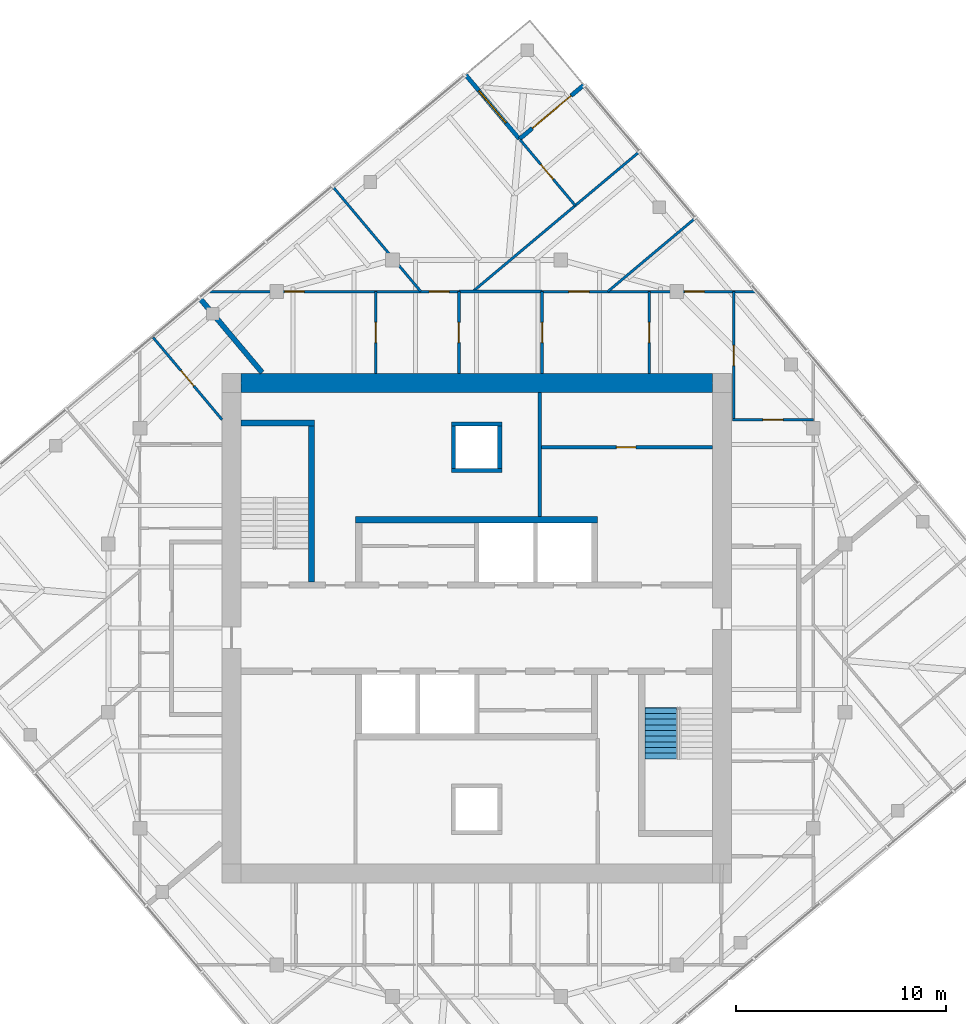
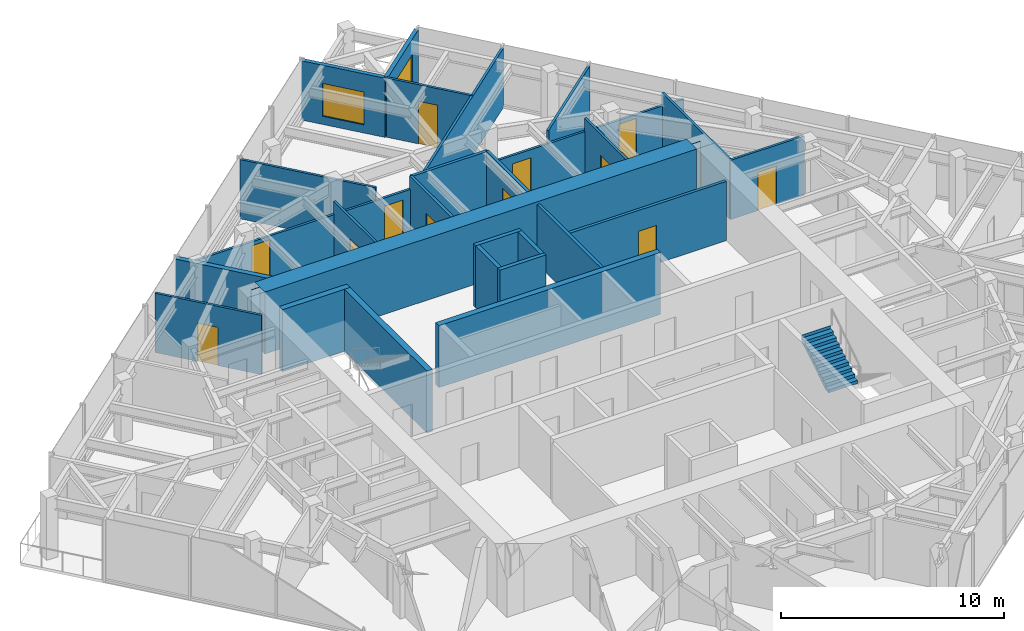
# One storey, part 10 of 12: 27 walls, 14 doors, 1 stair flight, 1 window, 15 openings, 1 element without a shape of its own.
"""IFC4 building model written with IfcOpenShell, lengths in metres."""

import ifcopenshell
import ifcopenshell.guid

model = None  # the IFC model being written
_history = None  # IfcOwnerHistory: only IFC2X3 demands one
_inside = {}  # id of a spatial element -> (the spatial element, [elements in it])
_under = {}  # id of a project, library or spatial element -> (it, [spatial elements below it])
_declared = {}  # id of a project -> (the project, [libraries it declares])
_typed = {}  # id of a type object -> (the type object, [elements of that type])
_made_of = {}  # id of a material, layer set ... -> (it, [elements and type objects made of it])


def new_model(schema):
    """Start an empty IFC model of exactly this schema.

    Asked for "IFC4X3", IfcOpenShell would pick the latest addendum, in which some entities
    have other attributes; the version numbers below select the first issue.
    IFC2X3 requires an IfcOwnerHistory on every rooted entity: one is made here for all.
    """
    global model, _history
    if schema == "IFC4X3":
        model = ifcopenshell.file(schema_version=(4, 3, 0, 0))
    else:
        model = ifcopenshell.file(schema=schema)
    _inside.clear()
    _under.clear()
    _declared.clear()
    _typed.clear()
    _made_of.clear()
    _history = None
    if model.schema == "IFC2X3":
        org = make("IfcOrganization", Name="unknown")
        user = make(
            "IfcPersonAndOrganization",
            ThePerson=make("IfcPerson", FamilyName="unknown"),
            TheOrganization=org,
        )
        app = make(
            "IfcApplication",
            ApplicationDeveloper=org,
            Version="unknown",
            ApplicationFullName="unknown",
            ApplicationIdentifier="unknown",
        )
        _history = make(
            "IfcOwnerHistory",
            OwningUser=user,
            OwningApplication=app,
            ChangeAction="ADDED",
            CreationDate=0,
        )
    return model


def make(cls, **values):
    """One entity of the class cls with the attributes given. An attribute that is None is left unset."""
    return model.create_entity(
        cls, **{name: value for name, value in values.items() if value is not None}
    )


def rooted(cls, **values):
    """An entity with a GlobalId (a new one), such as an element, a storey or a relation."""
    return make(cls, GlobalId=ifcopenshell.guid.new(), OwnerHistory=_history, **values)


def si_unit(unit_type, name, prefix=None):
    """IfcSIUnit, for example si_unit("LENGTHUNIT", "METRE", prefix="MILLI")."""
    return make("IfcSIUnit", UnitType=unit_type, Prefix=prefix, Name=name)


def assignment(units):
    """IfcUnitAssignment: the units of a project."""
    return None if units is None else make("IfcUnitAssignment", Units=units)


def point(xyz):
    """IfcCartesianPoint."""
    return None if xyz is None else make("IfcCartesianPoint", Coordinates=xyz)


def direction(xyz):
    """IfcDirection."""
    return None if xyz is None else make("IfcDirection", DirectionRatios=xyz)


def frame(location, z_axis=None, x_axis=None):
    """IfcAxis2Placement3D, a coordinate frame: its origin and axes. An axis left out is left unset."""
    return make(
        "IfcAxis2Placement3D",
        Location=point(location),
        Axis=direction(z_axis),
        RefDirection=direction(x_axis),
    )


def frame_2d(location, x_axis=None):
    """IfcAxis2Placement2D, a coordinate frame in the plane: its origin and x axis."""
    return make(
        "IfcAxis2Placement2D", Location=point(location), RefDirection=direction(x_axis)
    )


def origin():
    """The frame at (0, 0, 0) with its axes left unset."""
    return frame((0.0, 0.0, 0.0))


def place(relative_to, where):
    """IfcLocalPlacement: puts the frame where relative to a parent placement (None: the world)."""
    return make(
        "IfcLocalPlacement", PlacementRelTo=relative_to, RelativePlacement=where
    )


def context(
    kind, dimensions, precision=None, world=None, true_north=None, identifier=None
):
    """IfcGeometricRepresentationContext, for example the 3D "Model" context."""
    return make(
        "IfcGeometricRepresentationContext",
        ContextIdentifier=identifier,
        ContextType=kind,
        CoordinateSpaceDimension=dimensions,
        Precision=precision,
        WorldCoordinateSystem=world,
        TrueNorth=true_north,
    )


def subcontext(parent, identifier, kind, view, scale=None):
    """IfcGeometricRepresentationSubContext, for example "Body" below "Model"."""
    return make(
        "IfcGeometricRepresentationSubContext",
        ContextIdentifier=identifier,
        ContextType=kind,
        ParentContext=parent,
        TargetScale=scale,
        TargetView=view,
    )


def project(units=None, contexts=None):
    """IfcProject with its units and contexts."""
    return rooted(
        "IfcProject",
        Name="project",
        RepresentationContexts=contexts,
        UnitsInContext=assignment(units),
    )


def spatial(cls, under=None, at=None, **own):
    """A site, building, storey or space (cls), placed at a placement, below another one or the project."""
    s = rooted(cls, ObjectPlacement=at, **own)
    if under is not None:
        _under.setdefault(under.id(), (under, []))[1].append(s)
    return s


def polyline(points):
    """IfcPolyline through the points."""
    return make("IfcPolyline", Points=[point(p) for p in points])


def profile(cls, at=None, kind="AREA", **sizes):
    """A parametric profile (cls). Its sizes go by their IFC names, for example OverallWidth=200.0."""
    return make(cls, ProfileType=kind, Position=at, **sizes)


def rectangle(**sizes):
    """IfcRectangleProfileDef."""
    return profile("IfcRectangleProfileDef", **sizes)


def outline(outer, holes=None, kind="AREA"):
    """IfcArbitraryClosedProfileDef: a profile drawn as a closed curve; with holes, ...WithVoids."""
    if holes is None:
        return make("IfcArbitraryClosedProfileDef", ProfileType=kind, OuterCurve=outer)
    return make(
        "IfcArbitraryProfileDefWithVoids",
        ProfileType=kind,
        OuterCurve=outer,
        InnerCurves=holes,
    )


def extrude(swept, where, along, depth):
    """IfcExtrudedAreaSolid: the profile swept, set in the frame where, extruded along a direction by depth."""
    return make(
        "IfcExtrudedAreaSolid",
        SweptArea=swept,
        Position=where,
        ExtrudedDirection=direction(along),
        Depth=depth,
    )


def shape(context_of_items, identifier, shape_type, items):
    """IfcShapeRepresentation: the items that make up one representation, for example the "Body"."""
    return make(
        "IfcShapeRepresentation",
        ContextOfItems=context_of_items,
        RepresentationIdentifier=identifier,
        RepresentationType=shape_type,
        Items=items,
    )


def material(Name=None, Category=None):
    """IfcMaterial."""
    return make("IfcMaterial", Name=Name, Category=Category)


def layer(
    of_material, thickness, ventilated=None, Name=None, Category=None, Priority=None
):
    """IfcMaterialLayer: one layer of a wall or slab, of a material (None: an air gap)."""
    return make(
        "IfcMaterialLayer",
        Material=of_material,
        LayerThickness=thickness,
        IsVentilated=ventilated,
        Name=Name,
        Category=Category,
        Priority=Priority,
    )


def layer_set(layers, Name=None):
    """IfcMaterialLayerSet."""
    return make("IfcMaterialLayerSet", MaterialLayers=layers, LayerSetName=Name)


def made_of(thing, what):
    """Note that an element or type object is made of a material, layer set ...; save() writes the relation."""
    if what is not None:
        _made_of.setdefault(what.id(), (what, []))[1].append(thing)
    return thing


def type_object(cls, material=None, **own):
    """A type object (cls), such as IfcWallType, which elements share."""
    return made_of(rooted(cls, **own), material)


def element(
    cls,
    number,
    at=None,
    inside=None,
    cuts=None,
    type_object=None,
    material=None,
    context=None,
    identifier="Body",
    shape_type=None,
    held_by="IfcProductDefinitionShape",
    body=None,
    shapes=None,
    **own,
):
    """One element of the class cls, such as IfcWall. Its Tag is "e" and its number.

    at: its placement. inside: the storey or other place that contains it. cuts: it is an
    opening in that element (IfcRelVoidsElement). A single representation is given by context,
    identifier, shape_type and body (its items); several are given by shapes. held_by: the class
    of the entity that holds the representations. save() writes the other relations.
    """
    e = rooted(cls, Tag="e%d" % number, ObjectPlacement=at, **own)
    if body is not None:
        shapes = [shape(context, identifier, shape_type, body)]
    if shapes is not None:
        e.Representation = make(held_by, Representations=shapes)
    if inside is not None:
        _inside.setdefault(inside.id(), (inside, []))[1].append(e)
    if cuts is not None:
        rooted(
            "IfcRelVoidsElement", RelatingBuildingElement=cuts, RelatedOpeningElement=e
        )
    if type_object is not None:
        _typed.setdefault(type_object.id(), (type_object, []))[1].append(e)
    return made_of(e, material)


def fill(opening, filler):
    """IfcRelFillsElement: the door or window that sits in an opening."""
    return rooted(
        "IfcRelFillsElement",
        RelatingOpeningElement=opening,
        RelatedBuildingElement=filler,
    )


def aggregate(whole, parts):
    """IfcRelAggregates: a whole, such as a stair, and the parts it consists of."""
    return rooted("IfcRelAggregates", RelatingObject=whole, RelatedObjects=parts)


def save(model, path):
    """Write the relations noted so far, then the file.

    IfcRelAggregates (storeys below a building ...), IfcRelContainedInSpatialStructure (elements
    in a storey), IfcRelDefinesByType, IfcRelAssociatesMaterial and IfcRelDeclares: one each for
    every whole, place, type object, material and project.
    """
    for whole, parts in _under.values():
        aggregate(whole, parts)
    for where, things in _inside.values():
        rooted(
            "IfcRelContainedInSpatialStructure",
            RelatedElements=things,
            RelatingStructure=where,
        )
    for kind, things in _typed.values():
        rooted("IfcRelDefinesByType", RelatedObjects=things, RelatingType=kind)
    for what, things in _made_of.values():
        rooted("IfcRelAssociatesMaterial", RelatedObjects=things, RelatingMaterial=what)
    for by, libraries in _declared.values():
        rooted("IfcRelDeclares", RelatingContext=by, RelatedDefinitions=libraries)
    model.write(path)


model = new_model("IFC4")

# Units and contexts
model_context = context("Model", 3, precision=1e-05, world=origin(), true_north=direction((0.0, 1.0)))
body_context = subcontext(model_context, "Body", "Model", "MODEL_VIEW")
ifc_project = project(units=[si_unit("LENGTHUNIT", "METRE"), si_unit("AREAUNIT", "SQUARE_METRE"), si_unit("VOLUMEUNIT", "CUBIC_METRE"), si_unit("PLANEANGLEUNIT", "RADIAN"), si_unit("MASSUNIT", "GRAM", prefix="KILO")], contexts=[model_context])

# Site, building, storey
site_placement = place(None, origin())
site = spatial("IfcSite", under=ifc_project, at=site_placement, CompositionType="ELEMENT")
building_placement = place(site_placement, origin())
building = spatial("IfcBuilding", under=site, at=building_placement, Name="Torsade Residences", CompositionType="ELEMENT")
storey_placement = place(building_placement, frame((0.0, 0.0, 282.800048828125)))
storey = spatial("IfcBuildingStorey", under=building, at=storey_placement, Name="L78", CompositionType="ELEMENT", Elevation=282.800048828125)

# Walls
ifc_material_1 = material(Name="Concrete 80 MPa", Category="concrete")
ifc_layer_1 = layer(ifc_material_1, 0.300048828125)
ifc_layer_set_1 = layer_set([ifc_layer_1], Name="Concrete 80 MPa")
wall_type_1 = type_object("IfcWallType", Name="CORE INTERNAL WALL 300", PredefinedType="SHEAR", material=ifc_layer_set_1)
wall_1_placement = place(storey_placement, frame((34.25, 35.14990234375, 0.0), z_axis=(0.0, 0.0, 1.0), x_axis=(1.0, 0.0, 0.0)))
element("IfcWall", 1, at=wall_1_placement, inside=storey, type_object=wall_type_1, Name="Core wall BN L78", PredefinedType="SHEAR", context=body_context, shape_type="SweptSolid", body=[
    extrude(rectangle(XDim=11.5, YDim=0.300048828125, at=frame_2d((5.75, 0.0))), origin(), (0.0, 0.0, 1.0), 3.39990234375),
])
wall_2_placement = place(storey_placement, frame((32.14990234375, 32.199951171875, 0.0), z_axis=(0.0, 0.0, 1.0), x_axis=(0.0, 1.0, 0.0)))
element("IfcWall", 2, at=wall_2_placement, inside=storey, type_object=wall_type_1, Name="Core wall ST1E L78", PredefinedType="SHEAR", context=body_context, shape_type="SweptSolid", body=[
    extrude(rectangle(XDim=7.699951171875, YDim=0.300048828125, at=frame_2d((3.85009765625, 0.0))), origin(), (0.0, 0.0, 1.0), 3.39990234375),
])
wall_3_placement = place(storey_placement, frame((28.800048828125, 39.75, 0.0), z_axis=(0.0, 0.0, 1.0), x_axis=(1.0, 0.0, 0.0)))
element("IfcWall", 3, at=wall_3_placement, inside=storey, type_object=wall_type_1, Name="Core wall ST1N L78", PredefinedType="SHEAR", context=body_context, shape_type="SweptSolid", body=[
    extrude(rectangle(XDim=3.5, YDim=0.300048828125, at=frame_2d((1.75, 0.0))), origin(), (0.0, 0.0, 1.0), 3.39990234375),
])
ifc_material_2 = material(Name="Concrete 80 MPa", Category="concrete")
ifc_layer_2 = layer(ifc_material_2, 0.89990234375)
ifc_layer_set_2 = layer_set([ifc_layer_2], Name="Concrete 80 MPa")
wall_type_2 = type_object("IfcWallType", Name="CORE WALL 900", PredefinedType="SHEAR", material=ifc_layer_set_2)
wall_4_placement = place(storey_placement, frame((28.800048828125, 41.64990234375, 0.0), z_axis=(0.0, 0.0, 1.0), x_axis=(1.0, 0.0, 0.0)))
element("IfcWall", 4, at=wall_4_placement, inside=storey, type_object=wall_type_2, Name="Core wall N L78", PredefinedType="SHEAR", context=body_context, shape_type="SweptSolid", body=[
    extrude(outline(polyline([(0.0, -0.449951171875), (22.39990234375, -0.449951171875), (22.39990234375, -0.02490234375), (22.849853515625, -0.02490234375), (22.849853515625, 0.02490234375), (22.39990234375, 0.02490234375), (22.39990234375, 0.449951171875), (0.0, 0.449951171875), (0.0, 0.02490234375), (-0.449951171875, 0.02490234375), (-0.449951171875, -0.02490234375), (0.0, -0.02490234375), (0.0, -0.449951171875)])), origin(), (0.0, 0.0, 1.0), 3.39990234375),
])

# Wall, opening, door
ifc_material_3 = material(Name="Plasterboard on steel stud", Category="steel")
ifc_layer_3 = layer(ifc_material_3, 0.1201171875)
ifc_layer_set_3 = layer_set([ifc_layer_3], Name="Plasterboard on steel stud")
wall_type_3 = type_object("IfcWallType", Name="PARTITION 120", PredefinedType="PARTITIONING", material=ifc_layer_set_3)
wall_5_placement = place(storey_placement, frame((52.163330078125, 39.9140625, 0.0), z_axis=(0.0, 0.0, 1.0), x_axis=(1.0, 0.0, 0.0)))
wall_5 = element("IfcWall", 5, at=wall_5_placement, inside=storey, type_object=wall_type_3, Name="Partition L78", PredefinedType="PARTITIONING", context=body_context, shape_type="SweptSolid", body=[
    extrude(rectangle(XDim=3.836669921875, YDim=0.1201171875, at=frame_2d((1.91845703125, 0.0))), origin(), (0.0, 0.0, 1.0), 3.25),
])
opening_1_placement = place(wall_5_placement, frame((1.438232421875, 0.0, 0.0)))
opening_1 = element("IfcOpeningElement", 6, at=opening_1_placement, cuts=wall_5, Name="Opening D05", PredefinedType="OPENING", context=body_context, shape_type="SweptSolid", body=[
    extrude(rectangle(XDim=0.9599609375, YDim=2.10009765625, at=frame_2d((0.47998046875, 1.050048828125))), frame((0.0, 0.070068359375, 0.0), z_axis=(0.0, -1.0, 0.0), x_axis=(1.0, 0.0, 0.0)), (0.0, 0.0, 1.0), 0.14013671875),
])
ifc_material_4 = material(Name="Hollow-core timber door in a steel cavity frame", Category="steel")
door_type_1 = type_object("IfcDoorType", Name="BATHROOM CAVITY SLIDING DOOR 960", OperationType="SLIDING_TO_LEFT", PredefinedType="DOOR", material=ifc_material_4)
door_1_placement = place(opening_1_placement, origin())
door_1 = element("IfcDoor", 7, at=door_1_placement, inside=storey, type_object=door_type_1, Name="Door Kitchen and dining to Bathroom", OperationType="SLIDING_TO_LEFT", OverallHeight=2.10009765625, OverallWidth=0.9599609375, PredefinedType="DOOR", context=body_context, shape_type="SweptSolid", body=[
    extrude(rectangle(XDim=0.9599609375, YDim=2.10009765625, at=frame_2d((0.47998046875, 1.050048828125))), frame((0.0, 0.02490234375, 0.0), z_axis=(0.0, -1.0, 0.0), x_axis=(1.0, 0.0, 0.0)), (0.0, 0.0, 1.0), 0.050048828125),
])
fill(opening_1, door_1)

wall_6_placement = place(storey_placement, frame((52.21337890625, 39.9140625, 0.0), z_axis=(0.0, 0.0, 1.0), x_axis=(0.0, 1.0, 0.0)))
wall_6 = element("IfcWall", 8, at=wall_6_placement, inside=storey, type_object=wall_type_3, Name="Partition L78", PredefinedType="PARTITIONING", context=body_context, shape_type="SweptSolid", body=[
    extrude(rectangle(XDim=6.0859375, YDim=0.1201171875, at=frame_2d((3.04296875, 0.0))), origin(), (0.0, 0.0, 1.0), 3.25),
])
opening_2_placement = place(wall_6_placement, frame((2.56298828125, 0.0, 0.0)))
opening_2 = element("IfcOpeningElement", 9, at=opening_2_placement, cuts=wall_6, Name="Opening D05", PredefinedType="OPENING", context=body_context, shape_type="SweptSolid", body=[
    extrude(rectangle(XDim=0.9599609375, YDim=2.10009765625, at=frame_2d((0.47998046875, 1.050048828125))), frame((0.0, 0.070068359375, 0.0), z_axis=(0.0, -1.0, 0.0), x_axis=(1.0, 0.0, 0.0)), (0.0, 0.0, 1.0), 0.14013671875),
])
door_2_placement = place(opening_2_placement, origin())
door_2 = element("IfcDoor", 10, at=door_2_placement, inside=storey, type_object=door_type_1, Name="Door Bathroom to Dressing room", OperationType="SLIDING_TO_LEFT", OverallHeight=2.10009765625, OverallWidth=0.9599609375, PredefinedType="DOOR", context=body_context, shape_type="SweptSolid", body=[
    extrude(rectangle(XDim=0.9599609375, YDim=2.10009765625, at=frame_2d((0.47998046875, 1.050048828125))), frame((0.0, 0.02490234375, 0.0), z_axis=(0.0, -1.0, 0.0), x_axis=(1.0, 0.0, 0.0)), (0.0, 0.0, 1.0), 0.050048828125),
])
fill(opening_2, door_2)

# Wall, openings, doors
wall_7_placement = place(storey_placement, frame((43.110107421875, 46.0, 0.0), z_axis=(0.0, 0.0, 1.0), x_axis=(1.0, 0.0, 0.0)))
wall_7 = element("IfcWall", 11, at=wall_7_placement, inside=storey, type_object=wall_type_3, Name="Partition L78", PredefinedType="PARTITIONING", context=body_context, shape_type="SweptSolid", body=[
    extrude(rectangle(XDim=10.1728515625, YDim=0.1201171875, at=frame_2d((5.08642578125, 0.0))), origin(), (0.0, 0.0, 1.0), 2.549072265625),
])
opening_3_placement = place(wall_7_placement, frame((6.788330078125, 0.0, 0.0)))
opening_3 = element("IfcOpeningElement", 12, at=opening_3_placement, cuts=wall_7, Name="Opening D02", PredefinedType="OPENING", context=body_context, shape_type="SweptSolid", body=[
    extrude(rectangle(XDim=0.919921875, YDim=2.340087890625, at=frame_2d((0.4599609375, 1.169921875))), frame((0.0, 0.070068359375, 0.0), z_axis=(0.0, -1.0, 0.0), x_axis=(1.0, 0.0, 0.0)), (0.0, 0.0, 1.0), 0.14013671875),
])
opening_4_placement = place(wall_7_placement, frame((1.2705078125, 0.0, 0.0)))
opening_4 = element("IfcOpeningElement", 13, at=opening_4_placement, cuts=wall_7, Name="Opening D05", PredefinedType="OPENING", context=body_context, shape_type="SweptSolid", body=[
    extrude(rectangle(XDim=0.9599609375, YDim=2.10009765625, at=frame_2d((0.47998046875, 1.050048828125))), frame((0.0, 0.070068359375, 0.0), z_axis=(0.0, -1.0, 0.0), x_axis=(1.0, 0.0, 0.0)), (0.0, 0.0, 1.0), 0.14013671875),
])
door_3_placement = place(opening_4_placement, origin())
door_3 = element("IfcDoor", 14, at=door_3_placement, inside=storey, type_object=door_type_1, Name="Door Ensuite to Bedroom 1", OperationType="SLIDING_TO_LEFT", OverallHeight=2.10009765625, OverallWidth=0.9599609375, PredefinedType="DOOR", context=body_context, shape_type="SweptSolid", body=[
    extrude(rectangle(XDim=0.9599609375, YDim=2.10009765625, at=frame_2d((0.47998046875, 1.050048828125))), frame((0.0, 0.02490234375, 0.0), z_axis=(0.0, -1.0, 0.0), x_axis=(1.0, 0.0, 0.0)), (0.0, 0.0, 1.0), 0.050048828125),
])
fill(opening_4, door_3)
ifc_material_5 = material(Name="Hollow-core timber door", Category="wood")
door_type_2 = type_object("IfcDoorType", Name="INTERNAL DOOR 920x2340", OperationType="NOTDEFINED", PredefinedType="DOOR", material=ifc_material_5)
door_4_placement = place(opening_3_placement, origin())
door_4 = element("IfcDoor", 15, at=door_4_placement, inside=storey, type_object=door_type_2, Name="Door Dressing room to Bedroom 5", OperationType="SINGLE_SWING_LEFT", OverallHeight=2.340087890625, OverallWidth=0.919921875, PredefinedType="DOOR", context=body_context, shape_type="SweptSolid", body=[
    extrude(rectangle(XDim=0.919921875, YDim=2.340087890625, at=frame_2d((0.4599609375, 1.169921875))), frame((0.0, 0.02490234375, 0.0), z_axis=(0.0, -1.0, 0.0), x_axis=(1.0, 0.0, 0.0)), (0.0, 0.0, 1.0), 0.050048828125),
])
fill(opening_3, door_4)

# Wall, opening, door
wall_8_placement = place(storey_placement, frame((48.203369140625, 42.10009765625, 0.0), z_axis=(0.0, 0.0, 1.0), x_axis=(0.0, 1.0, 0.0)))
wall_8 = element("IfcWall", 16, at=wall_8_placement, inside=storey, type_object=wall_type_3, Name="Partition L78", PredefinedType="PARTITIONING", context=body_context, shape_type="SweptSolid", body=[
    extrude(rectangle(XDim=3.89990234375, YDim=0.1201171875, at=frame_2d((1.949951171875, 0.0))), origin(), (0.0, 0.0, 1.0), 3.25),
])
opening_5_placement = place(wall_8_placement, frame((1.469970703125, 0.0, 0.0)))
opening_5 = element("IfcOpeningElement", 17, at=opening_5_placement, cuts=wall_8, Name="Opening D05", PredefinedType="OPENING", context=body_context, shape_type="SweptSolid", body=[
    extrude(rectangle(XDim=0.9599609375, YDim=2.10009765625, at=frame_2d((0.47998046875, 1.050048828125))), frame((0.0, 0.070068359375, 0.0), z_axis=(0.0, -1.0, 0.0), x_axis=(1.0, 0.0, 0.0)), (0.0, 0.0, 1.0), 0.14013671875),
])
door_5_placement = place(opening_5_placement, origin())
door_5 = element("IfcDoor", 18, at=door_5_placement, inside=storey, type_object=door_type_1, Name="Door Dressing room to Ensuite", OperationType="SLIDING_TO_LEFT", OverallHeight=2.10009765625, OverallWidth=0.9599609375, PredefinedType="DOOR", context=body_context, shape_type="SweptSolid", body=[
    extrude(rectangle(XDim=0.9599609375, YDim=2.10009765625, at=frame_2d((0.47998046875, 1.050048828125))), frame((0.0, 0.02490234375, 0.0), z_axis=(0.0, -1.0, 0.0), x_axis=(1.0, 0.0, 0.0)), (0.0, 0.0, 1.0), 0.050048828125),
])
fill(opening_5, door_5)

wall_9_placement = place(storey_placement, frame((35.195068359375, 42.10009765625, 0.0), z_axis=(0.0, 0.0, 1.0), x_axis=(0.0, 1.0, 0.0)))
wall_9 = element("IfcWall", 19, at=wall_9_placement, inside=storey, type_object=wall_type_3, Name="Partition L78", PredefinedType="PARTITIONING", context=body_context, shape_type="SweptSolid", body=[
    extrude(rectangle(XDim=3.89990234375, YDim=0.1201171875, at=frame_2d((1.949951171875, 0.0))), origin(), (0.0, 0.0, 1.0), 3.25),
])
opening_6_placement = place(wall_9_placement, frame((1.469970703125, 0.0, 0.0)))
opening_6 = element("IfcOpeningElement", 20, at=opening_6_placement, cuts=wall_9, Name="Opening D05", PredefinedType="OPENING", context=body_context, shape_type="SweptSolid", body=[
    extrude(rectangle(XDim=0.9599609375, YDim=2.10009765625, at=frame_2d((0.47998046875, 1.050048828125))), frame((0.0, 0.070068359375, 0.0), z_axis=(0.0, -1.0, 0.0), x_axis=(1.0, 0.0, 0.0)), (0.0, 0.0, 1.0), 0.14013671875),
])
door_6_placement = place(opening_6_placement, origin())
door_6 = element("IfcDoor", 21, at=door_6_placement, inside=storey, type_object=door_type_1, Name="Door Laundry to Study", OperationType="SLIDING_TO_LEFT", OverallHeight=2.10009765625, OverallWidth=0.9599609375, PredefinedType="DOOR", context=body_context, shape_type="SweptSolid", body=[
    extrude(rectangle(XDim=0.9599609375, YDim=2.10009765625, at=frame_2d((0.47998046875, 1.050048828125))), frame((0.0, 0.02490234375, 0.0), z_axis=(0.0, -1.0, 0.0), x_axis=(1.0, 0.0, 0.0)), (0.0, 0.0, 1.0), 0.050048828125),
])
fill(opening_6, door_6)

# Wall, openings, doors
wall_10_placement = place(storey_placement, frame((27.238037109375, 46.0, 0.0), z_axis=(0.0, 0.0, 1.0), x_axis=(1.0, 0.0, 0.0)))
wall_10 = element("IfcWall", 22, at=wall_10_placement, inside=storey, type_object=wall_type_3, Name="Partition L78", PredefinedType="PARTITIONING", context=body_context, shape_type="SweptSolid", body=[
    extrude(rectangle(XDim=11.91455078125, YDim=0.1201171875, at=frame_2d((5.957275390625, 0.0))), origin(), (0.0, 0.0, 1.0), 2.549072265625),
])
opening_7_placement = place(wall_10_placement, frame((3.637451171875, 0.0, 0.0)))
opening_7 = element("IfcOpeningElement", 23, at=opening_7_placement, cuts=wall_10, Name="Opening D02", PredefinedType="OPENING", context=body_context, shape_type="SweptSolid", body=[
    extrude(rectangle(XDim=0.919921875, YDim=2.340087890625, at=frame_2d((0.4599609375, 1.169921875))), frame((0.0, 0.070068359375, 0.0), z_axis=(0.0, -1.0, 0.0), x_axis=(1.0, 0.0, 0.0)), (0.0, 0.0, 1.0), 0.14013671875),
])
opening_8_placement = place(wall_10_placement, frame((10.497802734375, 0.0, 0.0)))
opening_8 = element("IfcOpeningElement", 24, at=opening_8_placement, cuts=wall_10, Name="Opening D05", PredefinedType="OPENING", context=body_context, shape_type="SweptSolid", body=[
    extrude(rectangle(XDim=0.9599609375, YDim=2.10009765625, at=frame_2d((0.47998046875, 1.050048828125))), frame((0.0, 0.070068359375, 0.0), z_axis=(0.0, -1.0, 0.0), x_axis=(1.0, 0.0, 0.0)), (0.0, 0.0, 1.0), 0.14013671875),
])
door_7_placement = place(opening_8_placement, origin())
door_7 = element("IfcDoor", 25, at=door_7_placement, inside=storey, type_object=door_type_1, Name="Door Laundry to Living room", OperationType="SLIDING_TO_LEFT", OverallHeight=2.10009765625, OverallWidth=0.9599609375, PredefinedType="DOOR", context=body_context, shape_type="SweptSolid", body=[
    extrude(rectangle(XDim=0.9599609375, YDim=2.10009765625, at=frame_2d((0.47998046875, 1.050048828125))), frame((0.0, 0.02490234375, 0.0), z_axis=(0.0, -1.0, 0.0), x_axis=(1.0, 0.0, 0.0)), (0.0, 0.0, 1.0), 0.050048828125),
])
fill(opening_8, door_7)
door_8_placement = place(opening_7_placement, origin())
door_8 = element("IfcDoor", 26, at=door_8_placement, inside=storey, type_object=door_type_2, Name="Door Study to Bedroom 2", OperationType="SINGLE_SWING_LEFT", OverallHeight=2.340087890625, OverallWidth=0.919921875, PredefinedType="DOOR", context=body_context, shape_type="SweptSolid", body=[
    extrude(rectangle(XDim=0.919921875, YDim=2.340087890625, at=frame_2d((0.4599609375, 1.169921875))), frame((0.0, 0.02490234375, 0.0), z_axis=(0.0, -1.0, 0.0), x_axis=(1.0, 0.0, 0.0)), (0.0, 0.0, 1.0), 0.050048828125),
])
fill(opening_7, door_8)

# Walls
wall_11_placement = place(storey_placement, frame((47.71875, 52.631103515625, 0.0), z_axis=(0.0, 0.0, 1.0), x_axis=(-0.766052076481, -0.64277851249, 0.0)))
element("IfcWall", 27, at=wall_11_placement, inside=storey, type_object=wall_type_3, Name="Partition L78", PredefinedType="PARTITIONING", context=body_context, shape_type="SweptSolid", body=[
    extrude(rectangle(XDim=10.31640625, YDim=0.1201171875, at=frame_2d((5.158203125, 0.0))), origin(), (0.0, 0.0, 1.0), 3.25),
])
wall_12_placement = place(storey_placement, frame((37.343994140625, 46.0, 0.0), z_axis=(0.0, 0.0, 1.0), x_axis=(-0.642779498388, 0.766051249233, 0.0)))
element("IfcWall", 28, at=wall_12_placement, inside=storey, type_object=wall_type_3, Name="Partition L78", PredefinedType="PARTITIONING", context=body_context, shape_type="SweptSolid", body=[
    extrude(rectangle(XDim=6.49609375, YDim=0.1201171875, at=frame_2d((3.248046875, 0.0))), origin(), (0.0, 0.0, 1.0), 3.25),
])

# Wall, opening, door
wall_13_placement = place(storey_placement, frame((42.0595703125, 53.215087890625, 0.0), z_axis=(0.0, 0.0, 1.0), x_axis=(0.642796729538, -0.766036790562, 0.0)))
wall_13 = element("IfcWall", 29, at=wall_13_placement, inside=storey, type_object=wall_type_3, Name="Partition L78", PredefinedType="PARTITIONING", context=body_context, shape_type="SweptSolid", body=[
    extrude(rectangle(XDim=4.0849609375, YDim=0.1201171875, at=frame_2d((2.04248046875, 0.0))), origin(), (0.0, 0.0, 1.0), 3.25),
])
opening_9_placement = place(wall_13_placement, frame((1.53759765625, 0.0, 0.0)))
opening_9 = element("IfcOpeningElement", 30, at=opening_9_placement, cuts=wall_13, Name="Opening D02", PredefinedType="OPENING", context=body_context, shape_type="SweptSolid", body=[
    extrude(rectangle(XDim=0.919921875, YDim=2.340087890625, at=frame_2d((0.4599609375, 1.169921875))), frame((0.0, 0.070068359375, 0.0), z_axis=(0.0, -1.0, 0.0), x_axis=(1.0, 0.0, 0.0)), (0.0, 0.0, 1.0), 0.14013671875),
])
door_9_placement = place(opening_9_placement, origin())
door_9 = element("IfcDoor", 31, at=door_9_placement, inside=storey, type_object=door_type_2, Name="Door Living room to Bedroom 4", OperationType="SINGLE_SWING_RIGHT", OverallHeight=2.340087890625, OverallWidth=0.919921875, PredefinedType="DOOR", context=body_context, shape_type="SweptSolid", body=[
    extrude(rectangle(XDim=0.919921875, YDim=2.340087890625, at=frame_2d((0.4599609375, 1.169921875))), frame((0.0, 0.02490234375, 0.0), z_axis=(0.0, -1.0, 0.0), x_axis=(1.0, 0.0, 0.0)), (0.0, 0.0, 1.0), 0.050048828125),
])
fill(opening_9, door_9)

# Wall
wall_14_placement = place(storey_placement, frame((50.370361328125, 49.47119140625, 0.0), z_axis=(0.0, 0.0, 1.0), x_axis=(-0.766056536168, -0.642773197476, 0.0)))
element("IfcWall", 32, at=wall_14_placement, inside=storey, type_object=wall_type_3, Name="Partition L78", PredefinedType="PARTITIONING", context=body_context, shape_type="SweptSolid", body=[
    extrude(rectangle(XDim=5.400390625, YDim=0.1201171875, at=frame_2d((2.7001953125, 0.0))), origin(), (0.0, 0.0, 1.0), 3.25),
])

# Wall, opening, door
wall_15_placement = place(storey_placement, frame((27.89990234375, 39.91259765625, 0.0), z_axis=(0.0, 0.0, 1.0), x_axis=(-0.64279031777, 0.766042170759, 0.0)))
wall_15 = element("IfcWall", 33, at=wall_15_placement, inside=storey, type_object=wall_type_3, Name="Partition L78", PredefinedType="PARTITIONING", context=body_context, shape_type="SweptSolid", body=[
    extrude(rectangle(XDim=5.0888671875, YDim=0.1201171875, at=frame_2d((2.54443359375, 0.0))), origin(), (0.0, 0.0, 1.0), 3.25),
])
opening_10_placement = place(wall_15_placement, frame((2.08447265625, 0.0, 0.0)))
opening_10 = element("IfcOpeningElement", 34, at=opening_10_placement, cuts=wall_15, Name="Opening D05", PredefinedType="OPENING", context=body_context, shape_type="SweptSolid", body=[
    extrude(rectangle(XDim=0.9599609375, YDim=2.10009765625, at=frame_2d((0.47998046875, 1.050048828125))), frame((0.0, 0.070068359375, 0.0), z_axis=(0.0, -1.0, 0.0), x_axis=(1.0, 0.0, 0.0)), (0.0, 0.0, 1.0), 0.14013671875),
])
door_10_placement = place(opening_10_placement, origin())
door_10 = element("IfcDoor", 35, at=door_10_placement, inside=storey, type_object=door_type_1, Name="Door Dressing room to Ensuite", OperationType="SLIDING_TO_LEFT", OverallHeight=2.10009765625, OverallWidth=0.9599609375, PredefinedType="DOOR", context=body_context, shape_type="SweptSolid", body=[
    extrude(rectangle(XDim=0.9599609375, YDim=2.10009765625, at=frame_2d((0.47998046875, 1.050048828125))), frame((0.0, 0.02490234375, 0.0), z_axis=(0.0, -1.0, 0.0), x_axis=(1.0, 0.0, 0.0)), (0.0, 0.0, 1.0), 0.050048828125),
])
fill(opening_10, door_10)

# Walls
ifc_material_6 = material(Name="Masonry-lined stud party wall", Category="masonry")
ifc_layer_4 = layer(ifc_material_6, 0.25)
ifc_layer_set_4 = layer_set([ifc_layer_4], Name="Masonry-lined stud party wall")
wall_type_4 = type_object("IfcWallType", Name="PARTY WALL 250", PredefinedType="PARTITIONING", material=ifc_layer_set_4)
wall_16_placement = place(storey_placement, frame((26.82275390625, 45.703857421875, 0.0), z_axis=(0.0, 0.0, 1.0), x_axis=(0.64279957712, -0.76603440109, 0.0)))
element("IfcWall", 36, at=wall_16_placement, inside=storey, type_object=wall_type_4, Name="Party wall L78", PredefinedType="PARTITIONING", context=body_context, shape_type="SweptSolid", body=[
    extrude(rectangle(XDim=4.6396484375, YDim=0.25, at=frame_2d((2.31982421875, 0.0))), origin(), (0.0, 0.0, 1.0), 3.25),
])
ifc_material_7 = material(Name="Reinforced blockwork", Category="masonry")
ifc_layer_5 = layer(ifc_material_7, 0.199951171875)
ifc_layer_set_5 = layer_set([ifc_layer_5], Name="Reinforced blockwork")
wall_type_5 = type_object("IfcWallType", Name="RISER SHAFT WALL 200", PredefinedType="SOLIDWALL", material=ifc_layer_set_5)
for number, where, z_axis, x_axis, name in (
    (37, (38.89990234375, 37.60009765625, 0.0), (0.0, 0.0, 1.0), (0.0, 1.0, 0.0), "Core wall RS1a L78"),
    (38, (41.10009765625, 37.60009765625, 0.0), (0.0, 0.0, 1.0), (0.0, 1.0, 0.0), "Core wall RS1b L78"),
):
    element("IfcWall", number, at=place(storey_placement, frame(where, z_axis=z_axis, x_axis=x_axis)), inside=storey, type_object=wall_type_5, Name=name, PredefinedType="SOLIDWALL", context=body_context, shape_type="SweptSolid", body=[
        extrude(rectangle(XDim=2.0, YDim=0.199951171875, at=frame_2d((1.0, 0.0))), origin(), (0.0, 0.0, 1.0), 3.39990234375),
    ])
for number, where, z_axis, x_axis, name in (
    (39, (38.800048828125, 37.5, 0.0), (0.0, 0.0, 1.0), (1.0, 0.0, 0.0), "Core wall RS1c L78"),
    (40, (38.800048828125, 39.699951171875, 0.0), (0.0, 0.0, 1.0), (1.0, 0.0, 0.0), "Core wall RS1d L78"),
):
    element("IfcWall", number, at=place(storey_placement, frame(where, z_axis=z_axis, x_axis=x_axis)), inside=storey, type_object=wall_type_5, Name=name, PredefinedType="SOLIDWALL", context=body_context, shape_type="SweptSolid", body=[
        extrude(rectangle(XDim=2.39990234375, YDim=0.199951171875, at=frame_2d((1.199951171875, 0.0))), origin(), (0.0, 0.0, 1.0), 3.39990234375),
    ])
ifc_material_8 = material(Name="Reinforced blockwork", Category="masonry")
ifc_layer_6 = layer(ifc_material_8, 0.14990234375)
ifc_layer_set_6 = layer_set([ifc_layer_6], Name="Reinforced blockwork")
wall_type_6 = type_object("IfcWallType", Name="SERVICE ROOM WALL 150", PredefinedType="SOLIDWALL", material=ifc_layer_set_6)
wall_17_placement = place(storey_placement, frame((43.0, 41.199951171875, 0.0), z_axis=(0.0, 0.0, 1.0), x_axis=(0.0, -1.0, 0.0)))
element("IfcWall", 41, at=wall_17_placement, inside=storey, type_object=wall_type_6, Name="Service room wall L78", PredefinedType="SOLIDWALL", context=body_context, shape_type="SweptSolid", body=[
    extrude(rectangle(XDim=5.89990234375, YDim=0.14990234375, at=frame_2d((2.949951171875, 0.0))), origin(), (0.0, 0.0, 1.0), 3.25),
])

# Wall, opening, door
wall_18_placement = place(storey_placement, frame((43.0, 38.60009765625, 0.0), z_axis=(0.0, 0.0, 1.0), x_axis=(1.0, 0.0, 0.0)))
wall_18 = element("IfcWall", 42, at=wall_18_placement, inside=storey, type_object=wall_type_6, Name="Service room wall L78", PredefinedType="SOLIDWALL", context=body_context, shape_type="SweptSolid", body=[
    extrude(rectangle(XDim=8.199951171875, YDim=0.14990234375, at=frame_2d((4.10009765625, 0.0))), origin(), (0.0, 0.0, 1.0), 3.25),
])
opening_11_placement = place(wall_18_placement, frame((3.639892578125, 0.0, 0.0)))
opening_11 = element("IfcOpeningElement", 43, at=opening_11_placement, cuts=wall_18, Name="Opening D06", PredefinedType="OPENING", context=body_context, shape_type="SweptSolid", body=[
    extrude(rectangle(XDim=0.919921875, YDim=2.10009765625, at=frame_2d((0.4599609375, 1.050048828125))), frame((0.0, 0.0849609375, 0.0), z_axis=(0.0, -1.0, 0.0), x_axis=(1.0, 0.0, 0.0)), (0.0, 0.0, 1.0), 0.169921875),
])
ifc_material_9 = material(Name="Steel-framed fire door", Category="steel")
door_type_3 = type_object("IfcDoorType", Name="FIRE DOOR 920", OperationType="NOTDEFINED", PredefinedType="DOOR", material=ifc_material_9)
door_11_placement = place(opening_11_placement, origin())
door_11 = element("IfcDoor", 44, at=door_11_placement, inside=storey, type_object=door_type_3, Name="Door Refuse room to Recycling room", OperationType="SINGLE_SWING_RIGHT", OverallHeight=2.10009765625, OverallWidth=0.919921875, PredefinedType="DOOR", context=body_context, shape_type="SweptSolid", body=[
    extrude(rectangle(XDim=0.919921875, YDim=2.10009765625, at=frame_2d((0.4599609375, 1.050048828125))), frame((0.0, 0.02490234375, 0.0), z_axis=(0.0, -1.0, 0.0), x_axis=(1.0, 0.0, 0.0)), (0.0, 0.0, 1.0), 0.050048828125),
])
fill(opening_11, door_11)

wall_19_placement = place(storey_placement, frame((43.110107421875, 42.10009765625, 0.0), z_axis=(0.0, 0.0, 1.0), x_axis=(0.0, 1.0, 0.0)))
wall_19 = element("IfcWall", 45, at=wall_19_placement, inside=storey, type_object=wall_type_6, Name="Service room wall L78", PredefinedType="SOLIDWALL", context=body_context, shape_type="SweptSolid", body=[
    extrude(rectangle(XDim=3.89990234375, YDim=0.14990234375, at=frame_2d((1.949951171875, 0.0))), origin(), (0.0, 0.0, 1.0), 3.25),
])
opening_12_placement = place(wall_19_placement, frame((1.469970703125, 0.0, 0.0)))
opening_12 = element("IfcOpeningElement", 46, at=opening_12_placement, cuts=wall_19, Name="Opening D05", PredefinedType="OPENING", context=body_context, shape_type="SweptSolid", body=[
    extrude(rectangle(XDim=0.9599609375, YDim=2.10009765625, at=frame_2d((0.47998046875, 1.050048828125))), frame((0.0, 0.0849609375, 0.0), z_axis=(0.0, -1.0, 0.0), x_axis=(1.0, 0.0, 0.0)), (0.0, 0.0, 1.0), 0.169921875),
])
door_12_placement = place(opening_12_placement, origin())
door_12 = element("IfcDoor", 47, at=door_12_placement, inside=storey, type_object=door_type_1, Name="Door Ensuite to Linen store", OperationType="SLIDING_TO_LEFT", OverallHeight=2.10009765625, OverallWidth=0.9599609375, PredefinedType="DOOR", context=body_context, shape_type="SweptSolid", body=[
    extrude(rectangle(XDim=0.9599609375, YDim=2.10009765625, at=frame_2d((0.47998046875, 1.050048828125))), frame((0.0, 0.02490234375, 0.0), z_axis=(0.0, -1.0, 0.0), x_axis=(1.0, 0.0, 0.0)), (0.0, 0.0, 1.0), 0.050048828125),
])
fill(opening_12, door_12)

wall_20_placement = place(storey_placement, frame((39.152587890625, 46.0, 0.0), z_axis=(0.0, 0.0, 1.0), x_axis=(0.0, -1.0, 0.0)))
wall_20 = element("IfcWall", 48, at=wall_20_placement, inside=storey, type_object=wall_type_6, Name="Service room wall L78", PredefinedType="SOLIDWALL", context=body_context, shape_type="SweptSolid", body=[
    extrude(rectangle(XDim=3.89990234375, YDim=0.14990234375, at=frame_2d((1.949951171875, 0.0))), origin(), (0.0, 0.0, 1.0), 3.25),
])
opening_13_placement = place(wall_20_placement, frame((1.469970703125, 0.0, 0.0)))
opening_13 = element("IfcOpeningElement", 49, at=opening_13_placement, cuts=wall_20, Name="Opening D05", PredefinedType="OPENING", context=body_context, shape_type="SweptSolid", body=[
    extrude(rectangle(XDim=0.9599609375, YDim=2.10009765625, at=frame_2d((0.47998046875, 1.050048828125))), frame((0.0, 0.0849609375, 0.0), z_axis=(0.0, -1.0, 0.0), x_axis=(1.0, 0.0, 0.0)), (0.0, 0.0, 1.0), 0.169921875),
])
door_13_placement = place(opening_13_placement, origin())
door_13 = element("IfcDoor", 50, at=door_13_placement, inside=storey, type_object=door_type_1, Name="Door Linen store to Laundry", OperationType="SLIDING_TO_LEFT", OverallHeight=2.10009765625, OverallWidth=0.9599609375, PredefinedType="DOOR", context=body_context, shape_type="SweptSolid", body=[
    extrude(rectangle(XDim=0.9599609375, YDim=2.10009765625, at=frame_2d((0.47998046875, 1.050048828125))), frame((0.0, 0.02490234375, 0.0), z_axis=(0.0, -1.0, 0.0), x_axis=(1.0, 0.0, 0.0)), (0.0, 0.0, 1.0), 0.050048828125),
])
fill(opening_13, door_13)

# Wall
wall_21_placement = place(storey_placement, frame((39.152587890625, 46.0, 0.0), z_axis=(0.0, 0.0, 1.0), x_axis=(1.0, 0.0, 0.0)))
element("IfcWall", 51, at=wall_21_placement, inside=storey, type_object=wall_type_6, Name="Service room wall L78", PredefinedType="SOLIDWALL", context=body_context, shape_type="SweptSolid", body=[
    extrude(rectangle(XDim=3.95751953125, YDim=0.14990234375, at=frame_2d((1.978759765625, 0.0))), origin(), (0.0, 0.0, 1.0), 3.25),
])

# Wall, opening, door
ifc_material_10 = material(Name="Stone-faced precast concrete 40 MPa panel", Category="masonry")
ifc_layer_7 = layer(ifc_material_10, 0.199951171875)
ifc_layer_set_7 = layer_set([ifc_layer_7], Name="Stone-faced precast concrete 40 MPa panel")
wall_type_7 = type_object("IfcWallType", Name="TERRACE WALL 200", PredefinedType="SOLIDWALL", material=ifc_layer_set_7)
wall_22_placement = place(storey_placement, frame((45.097900390625, 55.81689453125, 0.0), z_axis=(0.0, 0.0, 1.0), x_axis=(-0.766060656284, -0.642768287094, 0.0)))
wall_22 = element("IfcWall", 52, at=wall_22_placement, inside=storey, type_object=wall_type_7, Name="Terrace wall L78 5", PredefinedType="SOLIDWALL", context=body_context, shape_type="SweptSolid", body=[
    extrude(rectangle(XDim=4.0, YDim=0.199951171875, at=frame_2d((2.0, 0.0))), origin(), (0.0, 0.0, 1.0), 3.25),
])
opening_14_placement = place(wall_22_placement, frame((0.800048828125, 0.0, 0.0)))
opening_14 = element("IfcOpeningElement", 53, at=opening_14_placement, cuts=wall_22, Name="Opening D10", PredefinedType="OPENING", context=body_context, shape_type="SweptSolid", body=[
    extrude(rectangle(XDim=2.39990234375, YDim=2.39990234375, at=frame_2d((1.199951171875, 1.199951171875))), frame((0.0, 0.10986328125, 0.0), z_axis=(0.0, -1.0, 0.0), x_axis=(1.0, 0.0, 0.0)), (0.0, 0.0, 1.0), 0.219970703125),
])
ifc_material_11 = material(Name="Aluminium-framed glass door", Category="aluminium")
door_type_4 = type_object("IfcDoorType", Name="TERRACE SLIDING DOOR 2400", OperationType="SLIDING_TO_LEFT", PredefinedType="DOOR", material=ifc_material_11)
door_14_placement = place(opening_14_placement, origin())
door_14 = element("IfcDoor", 54, at=door_14_placement, inside=storey, type_object=door_type_4, Name="Terrace door L78 5", OperationType="SLIDING_TO_LEFT", OverallHeight=2.39990234375, OverallWidth=2.39990234375, PredefinedType="DOOR", context=body_context, shape_type="SweptSolid", body=[
    extrude(rectangle(XDim=2.39990234375, YDim=2.39990234375, at=frame_2d((1.199951171875, 1.199951171875))), frame((0.0, 0.02490234375, 0.0), z_axis=(0.0, -1.0, 0.0), x_axis=(1.0, 0.0, 0.0)), (0.0, 0.0, 1.0), 0.050048828125),
])
fill(opening_14, door_14)

# Wall, opening, window
wall_23_placement = place(storey_placement, frame((42.03369140625, 53.245849609375, 0.0), z_axis=(0.0, 0.0, 1.0), x_axis=(-0.642798342015, 0.766035437498, 0.0)))
wall_23 = element("IfcWall", 55, at=wall_23_placement, inside=storey, type_object=wall_type_7, Name="Terrace wall L78 6", PredefinedType="SOLIDWALL", context=body_context, shape_type="SweptSolid", body=[
    extrude(rectangle(XDim=3.999755859375, YDim=0.199951171875, at=frame_2d((2.0, 0.0))), origin(), (0.0, 0.0, 1.0), 3.25),
])
opening_15_placement = place(wall_23_placement, frame((1.0, 0.0, 0.449951171875)))
opening_15 = element("IfcOpeningElement", 56, at=opening_15_placement, cuts=wall_23, Name="Opening W1B", PredefinedType="OPENING", context=body_context, shape_type="SweptSolid", body=[
    extrude(rectangle(XDim=2.0, YDim=1.800048828125, at=frame_2d((1.0, 0.89990234375))), frame((0.0, 0.10986328125, 0.0), z_axis=(0.0, -1.0, 0.0), x_axis=(1.0, 0.0, 0.0)), (0.0, 0.0, 1.0), 0.219970703125),
])
ifc_material_12 = material(Name="Aluminium-framed glass window", Category="aluminium")
window_type = type_object("IfcWindowType", Name="TERRACE WINDOW 2000x1800", PartitioningType="SINGLE_PANEL", PredefinedType="WINDOW", material=ifc_material_12)
window_placement = place(opening_15_placement, origin())
window = element("IfcWindow", 57, at=window_placement, inside=storey, type_object=window_type, Name="Terrace window L78 6", OverallHeight=1.800048828125, OverallWidth=2.0, PartitioningType="SINGLE_PANEL", PredefinedType="WINDOW", context=body_context, shape_type="SweptSolid", body=[
    extrude(rectangle(XDim=2.0, YDim=1.800048828125, at=frame_2d((1.0, 0.89990234375))), frame((0.0, 0.030029296875, 0.0), z_axis=(0.0, -1.0, 0.0), x_axis=(1.0, 0.0, 0.0)), (0.0, 0.0, 1.0), 0.06005859375),
])
fill(opening_15, window)

# Stair, stair flight
ifc_material_13 = material(Name="Precast concrete 40 MPa", Category="concrete")
stair_type = type_object("IfcStairType", Name="HALF-TURN FIRE STAIR 1500x3400", PredefinedType="HALF_TURN_STAIR", material=ifc_material_13)
stair_placement = place(storey_placement, origin())
stair = element("IfcStair", 58, at=stair_placement, inside=storey, type_object=stair_type, Name="Stair ST2 L78", PredefinedType="HALF_TURN_STAIR")
ifc_material_14 = material(Name="Precast concrete 40 MPa", Category="concrete")
stair_flight_type = type_object("IfcStairFlightType", Name="PRECAST STAIR FLIGHT 1500x1700", PredefinedType="STRAIGHT", material=ifc_material_14)
stair_flight_placement = place(storey_placement, frame((48.75, 23.7900390625, 1.699951171875), z_axis=(0.0, 0.0, 1.0), x_axis=(0.0, 1.0, 0.0)))
stair_flight = element("IfcStairFlight", 59, at=stair_flight_placement, type_object=stair_flight_type, Name="ST2 flight 2", NumberOfRisers=10, NumberOfTreads=9, PredefinedType="STRAIGHT", RiserHeight=0.17, TreadLength=0.27, context=body_context, shape_type="SweptSolid", body=[
    extrude(outline(polyline([(0.0, 0.0), (0.0, 0.169921875), (0.27001953125, 0.169921875), (0.27001953125, 0.340087890625), (0.5400390625, 0.340087890625), (0.5400390625, 0.510009765625), (0.81005859375, 0.510009765625), (0.81005859375, 0.679931640625), (1.080078125, 0.679931640625), (1.080078125, 0.85009765625), (1.35009765625, 0.85009765625), (1.35009765625, 1.02001953125), (1.6201171875, 1.02001953125), (1.6201171875, 1.18994140625), (1.889892578125, 1.18994140625), (1.889892578125, 1.360107421875), (2.159912109375, 1.360107421875), (2.159912109375, 1.530029296875), (2.429931640625, 1.530029296875), (2.429931640625, 1.699951171875), (2.43994140625, 1.699951171875), (2.43994140625, 1.352783203125), (2.429931640625, 1.352783203125), (0.28125, 0.0), (0.0, 0.0)])), frame((0.0, 0.75, 0.0), z_axis=(0.0, -1.0, 0.0), x_axis=(1.0, 0.0, 0.0)), (0.0, 0.0, 1.0), 1.5),
])
aggregate(stair, [stair_flight])

save(model, "model.ifc")
